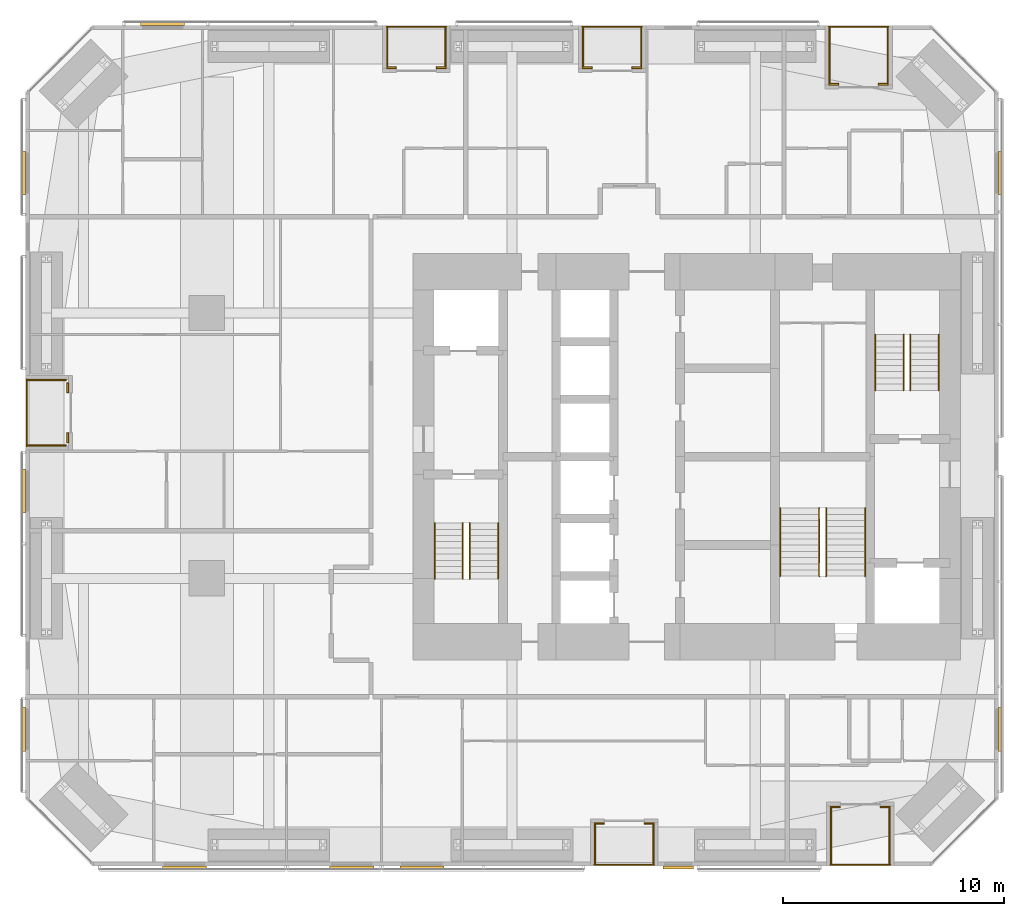
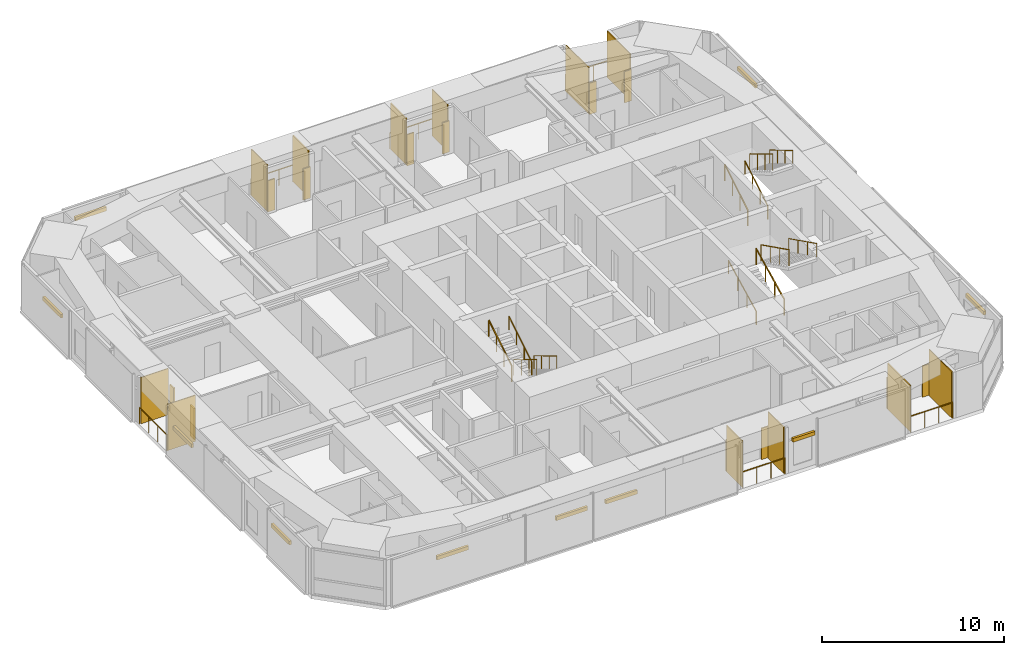
# One storey, part 24 of 24: 34 shading devices, 18 railings.
"""IFC4 building model written with IfcOpenShell, lengths in metres."""

from ifc_helpers import new_model, si_unit, direction, frame, origin, origin_2d, place, context, subcontext, project, spatial, rectangle, circle, extrude, material, layer, layer_set, constituent, constituent_set, type_object, element, save


model = new_model("IFC4")

# Units and contexts
model_context = context("Model", 3, precision=1e-05, world=origin(), true_north=direction((0.0, 1.0)))
body_context = subcontext(model_context, "Body", "Model", "MODEL_VIEW")
ifc_project = project(units=[si_unit("LENGTHUNIT", "METRE"), si_unit("AREAUNIT", "SQUARE_METRE"), si_unit("VOLUMEUNIT", "CUBIC_METRE"), si_unit("PLANEANGLEUNIT", "RADIAN"), si_unit("MASSUNIT", "GRAM", prefix="KILO")], contexts=[model_context])

# Site, building, storey
site_placement = place(None, origin())
site = spatial("IfcSite", under=ifc_project, at=site_placement, CompositionType="ELEMENT")
building_placement = place(site_placement, origin())
building = spatial("IfcBuilding", under=site, at=building_placement, Name="Jalousie Tower", CompositionType="ELEMENT")
storey_placement = place(building_placement, frame((0.0, 0.0, 51.14990234375)))
storey = spatial("IfcBuildingStorey", under=building, at=storey_placement, Name="L13", CompositionType="ELEMENT", Elevation=51.14990234375)

# Shading devices
ifc_material_1 = material(Name="Aluminium impact-rated louvred storm shutter", Category="aluminium")
shading_device_type_1 = type_object("IfcShadingDeviceType", Name="BI-FOLD STORM SHUTTER 900x2100", PredefinedType="SHUTTER", material=ifc_material_1)
for number, where, z_axis, x_axis, name in (
    (1, (27.949951171875, 1.909912109375, 0.0), (0.0, 0.0, 1.0), (1.0, 0.0, 0.0), "Loggia storm shutter L13"),
    (2, (30.199951171875, 1.909912109375, 0.0), (0.0, 0.0, 1.0), (1.0, 0.0, 0.0), "Loggia storm shutter L13"),
    (3, (38.625, 2.659912109375, 0.0), (0.0, 0.0, 1.0), (1.0, 0.0, 0.0), "Loggia storm shutter L13"),
    (4, (40.875, 2.659912109375, 0.0), (0.0, 0.0, 1.0), (1.0, 0.0, 0.0), "Loggia storm shutter L13"),
    (5, (40.798583984375, 35.340087890625, 0.0), (0.0, 0.0, 1.0), (-1.0, 0.0, 0.0), "Loggia storm shutter L13"),
    (6, (38.548583984375, 35.340087890625, 0.0), (0.0, 0.0, 1.0), (-1.0, 0.0, 0.0), "Loggia storm shutter L13"),
    (7, (29.64990234375, 36.090087890625, 0.0), (0.0, 0.0, 1.0), (-1.0, 0.0, 0.0), "Loggia storm shutter L13"),
    (8, (27.39990234375, 36.090087890625, 0.0), (0.0, 0.0, 1.0), (-1.0, 0.0, 0.0), "Loggia storm shutter L13"),
    (9, (20.800048828125, 36.090087890625, 0.0), (0.0, 0.0, 1.0), (-1.0, 0.0, 0.0), "Loggia storm shutter L13"),
    (10, (18.550048828125, 36.090087890625, 0.0), (0.0, 0.0, 1.0), (-1.0, 0.0, 0.0), "Loggia storm shutter L13"),
    (11, (3.909912109375, 21.612548828125, 0.0), (0.0, 0.0, 1.0), (0.0, -1.0, 0.0), "Loggia storm shutter L13"),
    (12, (3.909912109375, 19.362548828125, 0.0), (0.0, 0.0, 1.0), (0.0, -1.0, 0.0), "Loggia storm shutter L13"),
):
    element("IfcShadingDevice", number, at=place(storey_placement, frame(where, z_axis=z_axis, x_axis=x_axis)), inside=storey, type_object=shading_device_type_1, Name=name, PredefinedType="SHUTTER", context=body_context, shape_type="SweptSolid", body=[
        extrude(rectangle(XDim=0.449951171875, YDim=0.080078125, at=origin_2d()), origin(), (0.0, 0.0, 1.0), 2.10009765625),
    ])

# Railings
ifc_material_2 = material(Name="Powder-coated aluminium fretwork", Category="aluminium")
railing_type_1 = type_object("IfcRailingType", Name="FRETWORK BALUSTRADE 1100", PredefinedType="BALUSTRADE", material=ifc_material_2)
railing_1_placement = place(storey_placement, frame((27.72509765625, 0.050048828125, 0.0)))
element("IfcRailing", 13, at=railing_1_placement, inside=storey, type_object=railing_type_1, Name="Loggia fretwork balustrade L13", PredefinedType="BALUSTRADE", context=body_context, shape_type="SweptSolid", body=[
    extrude(rectangle(XDim=0.048095703125, YDim=0.048095703125, at=origin_2d()), frame((0.0, 0.0, 1.076171875), z_axis=(1.0, 0.0, 0.0), x_axis=(0.0, 1.0, 0.0)), (0.0, 0.0, 1.0), 2.699951171875),
    extrude(circle(Radius=0.02099609375, at=origin_2d()), origin(), (0.0, 0.0, 1.0), 1.052001953125),
    extrude(circle(Radius=0.02099609375, at=origin_2d()), frame((0.89990234375, 0.0, 0.0)), (0.0, 0.0, 1.0), 1.052001953125),
    extrude(circle(Radius=0.02099609375, at=origin_2d()), frame((1.800048828125, 0.0, 0.0)), (0.0, 0.0, 1.0), 1.052001953125),
    extrude(circle(Radius=0.02099609375, at=origin_2d()), frame((2.699951171875, 0.0, 0.0)), (0.0, 0.0, 1.0), 1.052001953125),
])
railing_2_placement = place(storey_placement, frame((38.39990234375, 0.050048828125, 0.0)))
element("IfcRailing", 14, at=railing_2_placement, inside=storey, type_object=railing_type_1, Name="Loggia fretwork balustrade L13", PredefinedType="BALUSTRADE", context=body_context, shape_type="SweptSolid", body=[
    extrude(rectangle(XDim=0.048095703125, YDim=0.048095703125, at=origin_2d()), frame((0.0, 0.0, 1.076171875), z_axis=(1.0, 0.0, 0.0), x_axis=(0.0, 1.0, 0.0)), (0.0, 0.0, 1.0), 2.7001953125),
    extrude(circle(Radius=0.02099609375, at=origin_2d()), origin(), (0.0, 0.0, 1.0), 1.052001953125),
    extrude(circle(Radius=0.02099609375, at=origin_2d()), frame((0.900146484375, 0.0, 0.0)), (0.0, 0.0, 1.0), 1.052001953125),
    extrude(circle(Radius=0.02099609375, at=origin_2d()), frame((1.800048828125, 0.0, 0.0)), (0.0, 0.0, 1.0), 1.052001953125),
    extrude(circle(Radius=0.02099609375, at=origin_2d()), frame((2.7001953125, 0.0, 0.0)), (0.0, 0.0, 1.0), 1.052001953125),
])
for number, where, name in (
    (15, (41.023681640625, 37.949951171875, 0.0), "Loggia fretwork balustrade L13"),
    (16, (29.875, 37.949951171875, 0.0), "Loggia fretwork balustrade L13"),
    (17, (21.02490234375, 37.949951171875, 0.0), "Loggia fretwork balustrade L13"),
):
    element("IfcRailing", number, at=place(storey_placement, frame(where)), inside=storey, type_object=railing_type_1, Name=name, PredefinedType="BALUSTRADE", context=body_context, shape_type="SweptSolid", body=[
        extrude(rectangle(XDim=0.048095703125, YDim=0.048095703125, at=origin_2d()), frame((0.0, 0.0, 1.076171875), z_axis=(-1.0, 0.0, 0.0), x_axis=(0.0, -1.0, 0.0)), (0.0, 0.0, 1.0), 2.699951171875),
        extrude(circle(Radius=0.02099609375, at=origin_2d()), origin(), (0.0, 0.0, 1.0), 1.052001953125),
        extrude(circle(Radius=0.02099609375, at=origin_2d()), frame((-0.89990234375, 0.0, 0.0)), (0.0, 0.0, 1.0), 1.052001953125),
        extrude(circle(Radius=0.02099609375, at=origin_2d()), frame((-1.800048828125, 0.0, 0.0)), (0.0, 0.0, 1.0), 1.052001953125),
        extrude(circle(Radius=0.02099609375, at=origin_2d()), frame((-2.699951171875, 0.0, 0.0)), (0.0, 0.0, 1.0), 1.052001953125),
    ])
railing_3_placement = place(storey_placement, frame((2.050048828125, 22.0, 0.0)))
element("IfcRailing", 18, at=railing_3_placement, inside=storey, type_object=railing_type_1, Name="Loggia fretwork balustrade L13", PredefinedType="BALUSTRADE", context=body_context, shape_type="SweptSolid", body=[
    extrude(rectangle(XDim=0.048095703125, YDim=0.048095703125, at=origin_2d()), frame((0.0, 0.0, 1.076171875), z_axis=(0.0, -1.0, 0.0), x_axis=(1.0, 0.0, 0.0)), (0.0, 0.0, 1.0), 3.02490234375),
    extrude(circle(Radius=0.02099609375, at=origin_2d()), origin(), (0.0, 0.0, 1.0), 1.052001953125),
    extrude(circle(Radius=0.02099609375, at=origin_2d()), frame((0.0, -1.00830078125, 0.0)), (0.0, 0.0, 1.0), 1.052001953125),
    extrude(circle(Radius=0.02099609375, at=origin_2d()), frame((0.0, -2.0166015625, 0.0)), (0.0, 0.0, 1.0), 1.052001953125),
    extrude(circle(Radius=0.02099609375, at=origin_2d()), frame((0.0, -3.02490234375, 0.0)), (0.0, 0.0, 1.0), 1.052001953125),
])

# Shading devices
ifc_material_3 = material(Name="Powder-coated aluminium louvres", Category="aluminium")
ifc_layer = layer(ifc_material_3, 0.06005859375)
ifc_layer_set = layer_set([ifc_layer], Name="Powder-coated aluminium louvres")
shading_device_type_2 = type_object("IfcShadingDeviceType", Name="JALOUSIE LOUVRE SCREEN", PredefinedType="JALOUSIE", material=ifc_layer_set)
for number, where, z_axis, x_axis, name in (
    (19, (27.7548828125, 0.97509765625, 0.0), (0.0, 0.0, 1.0), (1.0, 0.0, 0.0), "Loggia jalousie louvre screen L13"),
    (20, (30.39501953125, 0.97509765625, 0.0), (0.0, 0.0, 1.0), (1.0, 0.0, 0.0), "Loggia jalousie louvre screen L13"),
):
    element("IfcShadingDevice", number, at=place(storey_placement, frame(where, z_axis=z_axis, x_axis=x_axis)), inside=storey, type_object=shading_device_type_2, Name=name, PredefinedType="JALOUSIE", context=body_context, shape_type="SweptSolid", body=[
        extrude(rectangle(XDim=0.06005859375, YDim=1.75, at=origin_2d()), origin(), (0.0, 0.0, 1.0), 3.110107421875),
    ])
for number, where, z_axis, x_axis, name in (
    (21, (38.429931640625, 1.35009765625, 0.0), (0.0, 0.0, 1.0), (1.0, 0.0, 0.0), "Loggia jalousie louvre screen L13"),
    (22, (41.070068359375, 1.35009765625, 0.0), (0.0, 0.0, 1.0), (1.0, 0.0, 0.0), "Loggia jalousie louvre screen L13"),
    (23, (40.99365234375, 36.64990234375, 0.0), (0.0, 0.0, 1.0), (-1.0, 0.0, 0.0), "Loggia jalousie louvre screen L13"),
    (24, (38.353759765625, 36.64990234375, 0.0), (0.0, 0.0, 1.0), (-1.0, 0.0, 0.0), "Loggia jalousie louvre screen L13"),
):
    element("IfcShadingDevice", number, at=place(storey_placement, frame(where, z_axis=z_axis, x_axis=x_axis)), inside=storey, type_object=shading_device_type_2, Name=name, PredefinedType="JALOUSIE", context=body_context, shape_type="SweptSolid", body=[
        extrude(rectangle(XDim=0.06005859375, YDim=2.5, at=origin_2d()), origin(), (0.0, 0.0, 1.0), 3.110107421875),
    ])
for number, where, z_axis, x_axis, name in (
    (25, (29.844970703125, 37.02490234375, 0.0), (0.0, 0.0, 1.0), (-1.0, 0.0, 0.0), "Loggia jalousie louvre screen L13"),
    (26, (27.205078125, 37.02490234375, 0.0), (0.0, 0.0, 1.0), (-1.0, 0.0, 0.0), "Loggia jalousie louvre screen L13"),
    (27, (20.9951171875, 37.02490234375, 0.0), (0.0, 0.0, 1.0), (-1.0, 0.0, 0.0), "Loggia jalousie louvre screen L13"),
    (28, (18.35498046875, 37.02490234375, 0.0), (0.0, 0.0, 1.0), (-1.0, 0.0, 0.0), "Loggia jalousie louvre screen L13"),
    (29, (2.97509765625, 21.969970703125, 0.0), (0.0, 0.0, 1.0), (0.0, -1.0, 0.0), "Loggia jalousie louvre screen L13"),
    (30, (2.97509765625, 19.0048828125, 0.0), (0.0, 0.0, 1.0), (0.0, -1.0, 0.0), "Loggia jalousie louvre screen L13"),
):
    element("IfcShadingDevice", number, at=place(storey_placement, frame(where, z_axis=z_axis, x_axis=x_axis)), inside=storey, type_object=shading_device_type_2, Name=name, PredefinedType="JALOUSIE", context=body_context, shape_type="SweptSolid", body=[
        extrude(rectangle(XDim=0.06005859375, YDim=1.75, at=origin_2d()), origin(), (0.0, 0.0, 1.0), 3.110107421875),
    ])

# Railings
ifc_material_4 = material(Name="Steel ASTM A500 Grade C", Category="steel")
ifc_constituent_1 = constituent(ifc_material_4, Name="Body")
ifc_material_5 = material(Name="Hot-dip galvanised zinc coating")
ifc_constituent_2 = constituent(ifc_material_5, Name="Finish")
ifc_constituent_set_1 = constituent_set(constituents=[ifc_constituent_1, ifc_constituent_2])
railing_type_2 = type_object("IfcRailingType", Name="STAIR GUARD 1100", PredefinedType="GUARDRAIL", material=ifc_constituent_set_1)
railing_4_placement = place(storey_placement, frame((22.092529296875, 15.49755859375, 0.16748046875)))
element("IfcRailing", 31, at=railing_4_placement, inside=storey, type_object=railing_type_2, Name="Exit stair A guard L13 flight 1", PredefinedType="GUARDRAIL", context=body_context, shape_type="SweptSolid", body=[
    extrude(rectangle(XDim=0.048095703125, YDim=0.048095703125, at=origin_2d()), frame((0.0, 0.0, 1.076171875), z_axis=(0.0, -0.858159760407, 0.513382728203), x_axis=(1.0, 0.0, 0.0)), (0.0, 0.0, 1.0), 2.9365234375),
    extrude(circle(Radius=0.02099609375, at=origin_2d()), origin(), (0.0, 0.0, 1.0), 1.052001953125),
    extrude(circle(Radius=0.02099609375, at=origin_2d()), frame((0.0, -0.840087890625, 0.50244140625)), (0.0, 0.0, 1.0), 1.052001953125),
    extrude(circle(Radius=0.02099609375, at=origin_2d()), frame((0.0, -1.679931640625, 1.005126953125)), (0.0, 0.0, 1.0), 1.052001953125),
    extrude(circle(Radius=0.02099609375, at=origin_2d()), frame((0.0, -2.52001953125, 1.507568359375)), (0.0, 0.0, 1.0), 1.052001953125),
])
for number, where, name in (
    (32, (20.5048828125, 12.9775390625, 1.842529296875), "Exit stair A guard L13 flight 2"),
    (33, (40.43017578125, 21.50244140625, 0.16748046875), "Exit stair B guard L13 flight 1"),
):
    element("IfcRailing", number, at=place(storey_placement, frame(where)), inside=storey, type_object=railing_type_2, Name=name, PredefinedType="GUARDRAIL", context=body_context, shape_type="SweptSolid", body=[
        extrude(rectangle(XDim=0.048095703125, YDim=0.048095703125, at=origin_2d()), frame((0.0, 0.0, 1.076171875), z_axis=(0.0, 0.858159760407, 0.513382728203), x_axis=(-1.0, 0.0, 0.0)), (0.0, 0.0, 1.0), 2.9365234375),
        extrude(circle(Radius=0.02099609375, at=origin_2d()), origin(), (0.0, 0.0, 1.0), 1.052001953125),
        extrude(circle(Radius=0.02099609375, at=origin_2d()), frame((0.0, 0.840087890625, 0.50244140625)), (0.0, 0.0, 1.0), 1.052001953125),
        extrude(circle(Radius=0.02099609375, at=origin_2d()), frame((0.0, 1.679931640625, 1.005126953125)), (0.0, 0.0, 1.0), 1.052001953125),
        extrude(circle(Radius=0.02099609375, at=origin_2d()), frame((0.0, 2.52001953125, 1.507568359375)), (0.0, 0.0, 1.0), 1.052001953125),
    ])
railing_5_placement = place(storey_placement, frame((42.017578125, 24.0224609375, 1.842529296875)))
element("IfcRailing", 34, at=railing_5_placement, inside=storey, type_object=railing_type_2, Name="Exit stair B guard L13 flight 2", PredefinedType="GUARDRAIL", context=body_context, shape_type="SweptSolid", body=[
    extrude(rectangle(XDim=0.048095703125, YDim=0.048095703125, at=origin_2d()), frame((0.0, 0.0, 1.076171875), z_axis=(0.0, -0.858159760407, 0.513382728203), x_axis=(1.0, 0.0, 0.0)), (0.0, 0.0, 1.0), 2.9365234375),
    extrude(circle(Radius=0.02099609375, at=origin_2d()), origin(), (0.0, 0.0, 1.0), 1.052001953125),
    extrude(circle(Radius=0.02099609375, at=origin_2d()), frame((0.0, -0.840087890625, 0.50244140625)), (0.0, 0.0, 1.0), 1.052001953125),
    extrude(circle(Radius=0.02099609375, at=origin_2d()), frame((0.0, -1.679931640625, 1.005126953125)), (0.0, 0.0, 1.0), 1.052001953125),
    extrude(circle(Radius=0.02099609375, at=origin_2d()), frame((0.0, -2.52001953125, 1.507568359375)), (0.0, 0.0, 1.0), 1.052001953125),
])
railing_6_placement = place(storey_placement, frame((37.89501953125, 13.097412109375, 0.1396484375)))
element("IfcRailing", 35, at=railing_6_placement, inside=storey, type_object=railing_type_2, Name="Exit stair C guard L13 flight 1", PredefinedType="GUARDRAIL", context=body_context, shape_type="SweptSolid", body=[
    extrude(rectangle(XDim=0.048095703125, YDim=0.048095703125, at=origin_2d()), frame((0.0, 0.0, 1.076171875), z_axis=(0.0, 0.894965676997, 0.446134998624), x_axis=(-1.0, 0.0, 0.0)), (0.0, 0.0, 1.0), 3.441650390625),
    extrude(circle(Radius=0.02099609375, at=origin_2d()), origin(), (0.0, 0.0, 1.0), 1.052001953125),
    extrude(circle(Radius=0.02099609375, at=origin_2d()), frame((0.0, 1.026611328125, 0.51171875)), (0.0, 0.0, 1.0), 1.052001953125),
    extrude(circle(Radius=0.02099609375, at=origin_2d()), frame((0.0, 2.053466796875, 1.023681640625)), (0.0, 0.0, 1.0), 1.052001953125),
    extrude(circle(Radius=0.02099609375, at=origin_2d()), frame((0.0, 3.080078125, 1.535400390625)), (0.0, 0.0, 1.0), 1.052001953125),
])
railing_7_placement = place(storey_placement, frame((38.205078125, 16.177490234375, 1.814697265625)))
element("IfcRailing", 36, at=railing_7_placement, inside=storey, type_object=railing_type_2, Name="Exit stair C guard L13 flight 2", PredefinedType="GUARDRAIL", context=body_context, shape_type="SweptSolid", body=[
    extrude(rectangle(XDim=0.048095703125, YDim=0.048095703125, at=origin_2d()), frame((0.0, 0.0, 1.076171875), z_axis=(0.0, -0.894965676997, 0.446134998624), x_axis=(1.0, 0.0, 0.0)), (0.0, 0.0, 1.0), 3.441650390625),
    extrude(circle(Radius=0.02099609375, at=origin_2d()), origin(), (0.0, 0.0, 1.0), 1.052001953125),
    extrude(circle(Radius=0.02099609375, at=origin_2d()), frame((0.0, -1.026611328125, 0.51171875)), (0.0, 0.0, 1.0), 1.052001953125),
    extrude(circle(Radius=0.02099609375, at=origin_2d()), frame((0.0, -2.053466796875, 1.023681640625)), (0.0, 0.0, 1.0), 1.052001953125),
    extrude(circle(Radius=0.02099609375, at=origin_2d()), frame((0.0, -3.080078125, 1.535400390625)), (0.0, 0.0, 1.0), 1.052001953125),
])
ifc_material_6 = material(Name="Steel ASTM A500 Grade C", Category="steel")
ifc_constituent_3 = constituent(ifc_material_6, Name="Body")
ifc_material_7 = material(Name="Hot-dip galvanised zinc coating")
ifc_constituent_4 = constituent(ifc_material_7, Name="Finish")
ifc_constituent_set_2 = constituent_set(constituents=[ifc_constituent_3, ifc_constituent_4])
railing_type_3 = type_object("IfcRailingType", Name="STAIR HANDRAIL 900", PredefinedType="HANDRAIL", material=ifc_constituent_set_2)
railing_8_placement = place(storey_placement, frame((23.3701171875, 15.49755859375, 0.16748046875)))
element("IfcRailing", 37, at=railing_8_placement, inside=storey, type_object=railing_type_3, Name="Exit stair A handrail L13 flight 1", PredefinedType="HANDRAIL", context=body_context, shape_type="SweptSolid", body=[
    extrude(circle(Radius=0.02392578125, at=origin_2d()), frame((0.0, 0.0, 0.8759765625), z_axis=(0.0, -0.858159760407, 0.513382728203), x_axis=(1.0, 0.0, 0.0)), (0.0, 0.0, 1.0), 2.9365234375),
    extrude(circle(Radius=0.02099609375, at=origin_2d()), origin(), (0.0, 0.0, 1.0), 0.851806640625),
    extrude(circle(Radius=0.02099609375, at=origin_2d()), frame((0.0, -0.840087890625, 0.50244140625)), (0.0, 0.0, 1.0), 0.851806640625),
    extrude(circle(Radius=0.02099609375, at=origin_2d()), frame((0.0, -1.679931640625, 1.005126953125)), (0.0, 0.0, 1.0), 0.851806640625),
    extrude(circle(Radius=0.02099609375, at=origin_2d()), frame((0.0, -2.52001953125, 1.507568359375)), (0.0, 0.0, 1.0), 0.851806640625),
])
for number, where, name in (
    (38, (21.78271484375, 12.9775390625, 1.842529296875), "Exit stair A handrail L13 flight 2"),
    (39, (41.70751953125, 21.50244140625, 0.16748046875), "Exit stair B handrail L13 flight 1"),
):
    element("IfcRailing", number, at=place(storey_placement, frame(where)), inside=storey, type_object=railing_type_3, Name=name, PredefinedType="HANDRAIL", context=body_context, shape_type="SweptSolid", body=[
        extrude(circle(Radius=0.02392578125, at=origin_2d()), frame((0.0, 0.0, 0.8759765625), z_axis=(0.0, 0.858159760407, 0.513382728203), x_axis=(-1.0, 0.0, 0.0)), (0.0, 0.0, 1.0), 2.9365234375),
        extrude(circle(Radius=0.02099609375, at=origin_2d()), origin(), (0.0, 0.0, 1.0), 0.851806640625),
        extrude(circle(Radius=0.02099609375, at=origin_2d()), frame((0.0, 0.840087890625, 0.50244140625)), (0.0, 0.0, 1.0), 0.851806640625),
        extrude(circle(Radius=0.02099609375, at=origin_2d()), frame((0.0, 1.679931640625, 1.005126953125)), (0.0, 0.0, 1.0), 0.851806640625),
        extrude(circle(Radius=0.02099609375, at=origin_2d()), frame((0.0, 2.52001953125, 1.507568359375)), (0.0, 0.0, 1.0), 0.851806640625),
    ])
railing_9_placement = place(storey_placement, frame((43.294921875, 24.0224609375, 1.842529296875)))
element("IfcRailing", 40, at=railing_9_placement, inside=storey, type_object=railing_type_3, Name="Exit stair B handrail L13 flight 2", PredefinedType="HANDRAIL", context=body_context, shape_type="SweptSolid", body=[
    extrude(circle(Radius=0.02392578125, at=origin_2d()), frame((0.0, 0.0, 0.8759765625), z_axis=(0.0, -0.858159760407, 0.513382728203), x_axis=(1.0, 0.0, 0.0)), (0.0, 0.0, 1.0), 2.9365234375),
    extrude(circle(Radius=0.02099609375, at=origin_2d()), origin(), (0.0, 0.0, 1.0), 0.851806640625),
    extrude(circle(Radius=0.02099609375, at=origin_2d()), frame((0.0, -0.840087890625, 0.50244140625)), (0.0, 0.0, 1.0), 0.851806640625),
    extrude(circle(Radius=0.02099609375, at=origin_2d()), frame((0.0, -1.679931640625, 1.005126953125)), (0.0, 0.0, 1.0), 0.851806640625),
    extrude(circle(Radius=0.02099609375, at=origin_2d()), frame((0.0, -2.52001953125, 1.507568359375)), (0.0, 0.0, 1.0), 0.851806640625),
])
railing_10_placement = place(storey_placement, frame((36.1298828125, 13.097412109375, 0.1396484375)))
element("IfcRailing", 41, at=railing_10_placement, inside=storey, type_object=railing_type_3, Name="Exit stair C handrail L13 flight 1", PredefinedType="HANDRAIL", context=body_context, shape_type="SweptSolid", body=[
    extrude(circle(Radius=0.02392578125, at=origin_2d()), frame((0.0, 0.0, 0.8759765625), z_axis=(0.0, 0.894965676997, 0.446134998624), x_axis=(-1.0, 0.0, 0.0)), (0.0, 0.0, 1.0), 3.441650390625),
    extrude(circle(Radius=0.02099609375, at=origin_2d()), origin(), (0.0, 0.0, 1.0), 0.851806640625),
    extrude(circle(Radius=0.02099609375, at=origin_2d()), frame((0.0, 1.026611328125, 0.51171875)), (0.0, 0.0, 1.0), 0.851806640625),
    extrude(circle(Radius=0.02099609375, at=origin_2d()), frame((0.0, 2.053466796875, 1.023681640625)), (0.0, 0.0, 1.0), 0.851806640625),
    extrude(circle(Radius=0.02099609375, at=origin_2d()), frame((0.0, 3.080078125, 1.535400390625)), (0.0, 0.0, 1.0), 0.851806640625),
])
railing_11_placement = place(storey_placement, frame((39.969970703125, 16.177490234375, 1.814697265625)))
element("IfcRailing", 42, at=railing_11_placement, inside=storey, type_object=railing_type_3, Name="Exit stair C handrail L13 flight 2", PredefinedType="HANDRAIL", context=body_context, shape_type="SweptSolid", body=[
    extrude(circle(Radius=0.02392578125, at=origin_2d()), frame((0.0, 0.0, 0.8759765625), z_axis=(0.0, -0.894965676997, 0.446134998624), x_axis=(1.0, 0.0, 0.0)), (0.0, 0.0, 1.0), 3.441650390625),
    extrude(circle(Radius=0.02099609375, at=origin_2d()), origin(), (0.0, 0.0, 1.0), 0.851806640625),
    extrude(circle(Radius=0.02099609375, at=origin_2d()), frame((0.0, -1.026611328125, 0.51171875)), (0.0, 0.0, 1.0), 0.851806640625),
    extrude(circle(Radius=0.02099609375, at=origin_2d()), frame((0.0, -2.053466796875, 1.023681640625)), (0.0, 0.0, 1.0), 0.851806640625),
    extrude(circle(Radius=0.02099609375, at=origin_2d()), frame((0.0, -3.080078125, 1.535400390625)), (0.0, 0.0, 1.0), 0.851806640625),
])

# Shading devices
ifc_material_8 = material(Name="Aluminium roller storm shutter", Category="aluminium")
shading_device_type_3 = type_object("IfcShadingDeviceType", Name="STORM SHUTTER HOUSING", PredefinedType="SHUTTER", material=ifc_material_8)
for number, where, z_axis, x_axis, name in (
    (43, (9.18505859375, -0.074951171875, 2.10009765625), (0.0, 0.0, 1.0), (1.0, 0.0, 0.0), "Storm shutter L13"),
    (44, (16.757568359375, -0.074951171875, 2.10009765625), (0.0, 0.0, 1.0), (1.0, 0.0, 0.0), "Storm shutter L13"),
    (45, (19.925048828125, -0.074951171875, 2.10009765625), (0.0, 0.0, 1.0), (1.0, 0.0, 0.0), "Storm shutter L13"),
):
    element("IfcShadingDevice", number, at=place(storey_placement, frame(where, z_axis=z_axis, x_axis=x_axis)), inside=storey, type_object=shading_device_type_3, Name=name, PredefinedType="SHUTTER", context=body_context, shape_type="SweptSolid", body=[
        extrude(rectangle(XDim=2.0, YDim=0.14990234375, at=origin_2d()), origin(), (0.0, 0.0, 1.0), 0.25),
    ])
shading_device_placement = place(storey_placement, frame((31.517333984375, -0.074951171875, 2.10009765625), z_axis=(0.0, 0.0, 1.0), x_axis=(1.0, 0.0, 0.0)))
element("IfcShadingDevice", 46, at=shading_device_placement, inside=storey, type_object=shading_device_type_3, Name="Storm shutter L13", PredefinedType="SHUTTER", context=body_context, shape_type="SweptSolid", body=[
    extrude(rectangle(XDim=1.39990234375, YDim=0.14990234375, at=origin_2d()), origin(), (0.0, 0.0, 1.0), 0.25),
])
for number, where, z_axis, x_axis, name in (
    (47, (46.074951171875, 6.17333984375, 2.10009765625), (0.0, 0.0, 1.0), (0.0, 1.0, 0.0), "Storm shutter L13"),
    (48, (46.074951171875, 31.32666015625, 2.10009765625), (0.0, 0.0, 1.0), (0.0, 1.0, 0.0), "Storm shutter L13"),
    (49, (8.199951171875, 38.074951171875, 2.10009765625), (0.0, 0.0, 1.0), (-1.0, 0.0, 0.0), "Storm shutter L13"),
    (50, (1.925048828125, 31.32666015625, 2.10009765625), (0.0, 0.0, 1.0), (0.0, -1.0, 0.0), "Storm shutter L13"),
    (51, (1.925048828125, 16.949951171875, 2.10009765625), (0.0, 0.0, 1.0), (0.0, -1.0, 0.0), "Storm shutter L13"),
    (52, (1.925048828125, 6.17333984375, 2.10009765625), (0.0, 0.0, 1.0), (0.0, -1.0, 0.0), "Storm shutter L13"),
):
    element("IfcShadingDevice", number, at=place(storey_placement, frame(where, z_axis=z_axis, x_axis=x_axis)), inside=storey, type_object=shading_device_type_3, Name=name, PredefinedType="SHUTTER", context=body_context, shape_type="SweptSolid", body=[
        extrude(rectangle(XDim=2.0, YDim=0.14990234375, at=origin_2d()), origin(), (0.0, 0.0, 1.0), 0.25),
    ])

save(model, "model.ifc")
